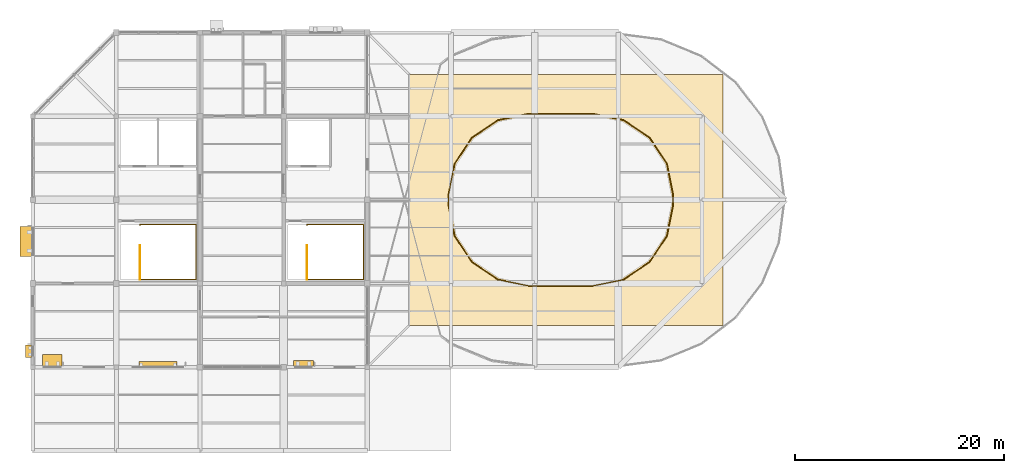
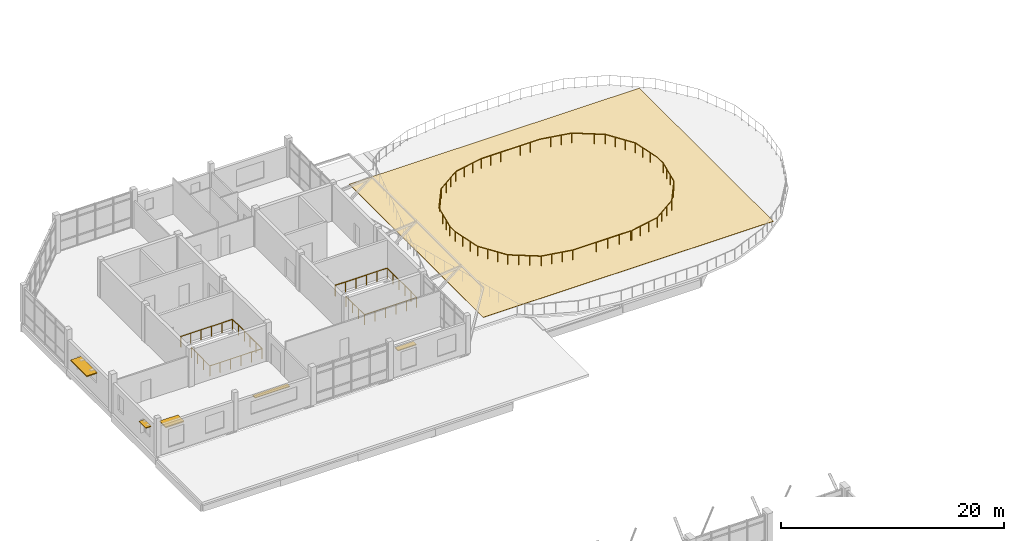
# One storey, part 43 of 44: 5 railings, 5 shading devices, 1 covering.
"""IFC4 building model written with IfcOpenShell, lengths in metres."""

from ifc_helpers import new_model, si_unit, direction, frame, origin, origin_2d, place, context, subcontext, project, spatial, polyline, rectangle, circle, outline, extrude, material, layer, layer_set, type_object, element, save


model = new_model("IFC4")

# Units and contexts
model_context = context("Model", 3, precision=1e-05, world=origin(), true_north=direction((0.0, 1.0)))
body_context = subcontext(model_context, "Body", "Model", "MODEL_VIEW")
ifc_project = project(units=[si_unit("LENGTHUNIT", "METRE"), si_unit("AREAUNIT", "SQUARE_METRE"), si_unit("VOLUMEUNIT", "CUBIC_METRE"), si_unit("PLANEANGLEUNIT", "RADIAN"), si_unit("MASSUNIT", "GRAM", prefix="KILO")], contexts=[model_context])

# Site, building, storey
site_placement = place(None, origin())
site = spatial("IfcSite", under=ifc_project, at=site_placement, CompositionType="ELEMENT")
building_placement = place(site_placement, origin())
building = spatial("IfcBuilding", under=site, at=building_placement, Name="Tenunan Teduh Sports Hall", CompositionType="ELEMENT")
storey_placement = place(building_placement, frame((0.0, 0.0, 19.199951171875)))
storey = spatial("IfcBuildingStorey", under=building, at=storey_placement, Name="L04", CompositionType="ELEMENT", Elevation=19.199951171875)

# Covering
ifc_material_1 = material(Name="World Athletics vulcanised EPDM track surface")
ifc_layer_1 = layer(ifc_material_1, 0.034912109375)
ifc_layer_set_1 = layer_set([ifc_layer_1], Name="World Athletics vulcanised EPDM track surface")
covering_type = type_object("IfcCoveringType", Name="COV-FLR-EPDM", PredefinedType="FLOORING", material=ifc_layer_set_1)
covering_placement = place(storey_placement, origin())
element("IfcCovering", 1, at=covering_placement, inside=storey, type_object=covering_type, Name="COV-FLR-TRK", PredefinedType="FLOORING", context=body_context, shape_type="SweptSolid", body=[
    extrude(outline(polyline([(42.0, 90.0), (72.0, 90.0), (72.0, 114.0), (42.0, 114.0), (42.0, 90.0)])), origin(), (0.0, 0.0, 1.0), 0.03515625),
])

# Railings
ifc_material_2 = material(Name="Laminated safety glass and stainless steel", Category="steel")
ifc_layer_2 = layer(ifc_material_2, 0.080078125)
ifc_layer_set_2 = layer_set([ifc_layer_2], Name="Laminated safety glass and stainless steel")
railing_type_1 = type_object("IfcRailingType", Name="RLG-BAL-GLZ", PredefinedType="BALUSTRADE", material=ifc_layer_set_2)
railing_1_placement = place(storey_placement, frame((59.549072265625, 93.76904296875, 0.0)))
element("IfcRailing", 2, at=railing_1_placement, inside=storey, type_object=railing_type_1, Name="Stadium Oval Running Track Inner Courtyard Guardrail", PredefinedType="BALUSTRADE", context=body_context, shape_type="SweptSolid", body=[
    extrude(circle(Radius=0.02392578125, at=origin_2d()), frame((0.0, 0.0, 1.09619140625), z_axis=(0.979877725648, 0.199598704354, 0.0), x_axis=(-0.199598704354, 0.979877725648, 0.0)), (0.0, 0.0, 1.0), 3.00537109375),
    extrude(circle(Radius=0.02392578125, at=origin_2d()), frame((2.94482421875, 0.599853515625, 1.09619140625), z_axis=(0.829957956742, 0.557825949595, 0.0), x_axis=(-0.557825949595, 0.829957956742, 0.0)), (0.0, 0.0, 1.0), 3.00634765625),
    extrude(circle(Radius=0.02392578125, at=origin_2d()), frame((5.43994140625, 2.27685546875, 1.09619140625), z_axis=(0.554137556715, 0.83242511269, 0.0), x_axis=(-0.83242511269, 0.554137556715, 0.0)), (0.0, 0.0, 1.0), 3.004638671875),
    extrude(circle(Radius=0.02392578125, at=origin_2d()), frame((7.10498046875, 4.778076171875, 1.09619140625), z_axis=(0.195084330611, 0.980786472149, 0.0), x_axis=(-0.980786472149, 0.195084330611, 0.0)), (0.0, 0.0, 1.0), 3.00341796875),
    extrude(circle(Radius=0.02392578125, at=origin_2d()), frame((7.69091796875, 7.723876953125, 1.09619140625), z_axis=(0.0, 1.0, 0.0), x_axis=(-1.0, 0.0, 0.0)), (0.0, 0.0, 1.0), 1.01416015625),
    extrude(circle(Radius=0.02392578125, at=origin_2d()), frame((7.69091796875, 8.738037109375, 1.09619140625), z_axis=(-0.195084330611, 0.980786472149, 0.0), x_axis=(-0.980786472149, -0.195084330611, 0.0)), (0.0, 0.0, 1.0), 3.00341796875),
    extrude(circle(Radius=0.02392578125, at=origin_2d()), frame((7.10498046875, 11.683837890625, 1.09619140625), z_axis=(-0.554137556715, 0.83242511269, 0.0), x_axis=(-0.83242511269, -0.554137556715, 0.0)), (0.0, 0.0, 1.0), 3.004638671875),
    extrude(circle(Radius=0.02392578125, at=origin_2d()), frame((5.43994140625, 14.18505859375, 1.09619140625), z_axis=(-0.829957956742, 0.557825949595, 0.0), x_axis=(-0.557825949595, -0.829957956742, 0.0)), (0.0, 0.0, 1.0), 3.00634765625),
    extrude(circle(Radius=0.02392578125, at=origin_2d()), frame((2.94482421875, 15.862060546875, 1.09619140625), z_axis=(-0.979877725648, 0.199598704354, 0.0), x_axis=(-0.199598704354, -0.979877725648, 0.0)), (0.0, 0.0, 1.0), 3.00537109375),
    extrude(circle(Radius=0.02392578125, at=origin_2d()), frame((0.0, 16.4619140625, 1.09619140625), z_axis=(-1.0, 0.0, 0.0), x_axis=(0.0, -1.0, 0.0)), (0.0, 0.0, 1.0), 6.09814453125),
    extrude(circle(Radius=0.02392578125, at=origin_2d()), frame((-6.09814453125, 16.4619140625, 1.09619140625), z_axis=(-0.979877725648, -0.199598704354, 0.0), x_axis=(0.199598704354, -0.979877725648, 0.0)), (0.0, 0.0, 1.0), 3.00537109375),
    extrude(circle(Radius=0.02392578125, at=origin_2d()), frame((-9.04296875, 15.862060546875, 1.09619140625), z_axis=(-0.829957956742, -0.557825949595, 0.0), x_axis=(0.557825949595, -0.829957956742, 0.0)), (0.0, 0.0, 1.0), 3.00634765625),
    extrude(circle(Radius=0.02392578125, at=origin_2d()), frame((-11.5380859375, 14.18505859375, 1.09619140625), z_axis=(-0.554137556715, -0.83242511269, 0.0), x_axis=(0.83242511269, -0.554137556715, 0.0)), (0.0, 0.0, 1.0), 3.004638671875),
    extrude(circle(Radius=0.02392578125, at=origin_2d()), frame((-13.203125, 11.683837890625, 1.09619140625), z_axis=(-0.195084330611, -0.980786472149, 0.0), x_axis=(0.980786472149, -0.195084330611, 0.0)), (0.0, 0.0, 1.0), 3.00341796875),
    extrude(circle(Radius=0.02392578125, at=origin_2d()), frame((-13.7890625, 8.738037109375, 1.09619140625), z_axis=(0.0, -1.0, 0.0), x_axis=(1.0, 0.0, 0.0)), (0.0, 0.0, 1.0), 1.01416015625),
    extrude(circle(Radius=0.02392578125, at=origin_2d()), frame((-13.7890625, 7.723876953125, 1.09619140625), z_axis=(0.195084330611, -0.980786472149, 0.0), x_axis=(0.980786472149, 0.195084330611, 0.0)), (0.0, 0.0, 1.0), 3.00341796875),
    extrude(circle(Radius=0.02392578125, at=origin_2d()), frame((-13.203125, 4.778076171875, 1.09619140625), z_axis=(0.554137556715, -0.83242511269, 0.0), x_axis=(0.83242511269, 0.554137556715, 0.0)), (0.0, 0.0, 1.0), 3.004638671875),
    extrude(circle(Radius=0.02392578125, at=origin_2d()), frame((-11.5380859375, 2.27685546875, 1.09619140625), z_axis=(0.829957956742, -0.557825949595, 0.0), x_axis=(0.557825949595, 0.829957956742, 0.0)), (0.0, 0.0, 1.0), 3.00634765625),
    extrude(circle(Radius=0.02392578125, at=origin_2d()), frame((-9.04296875, 0.599853515625, 1.09619140625), z_axis=(0.979877725648, -0.199598704354, 0.0), x_axis=(0.199598704354, 0.979877725648, 0.0)), (0.0, 0.0, 1.0), 3.00537109375),
    extrude(circle(Radius=0.02392578125, at=origin_2d()), frame((-6.09814453125, 0.0, 1.09619140625), z_axis=(1.0, 0.0, 0.0), x_axis=(0.0, 1.0, 0.0)), (0.0, 0.0, 1.0), 5.97607421875),
    extrude(circle(Radius=0.02099609375, at=origin_2d()), origin(), (0.0, 0.0, 1.0), 1.072021484375),
    extrude(circle(Radius=0.02099609375, at=origin_2d()), frame((0.981689453125, 0.199951171875, 0.0)), (0.0, 0.0, 1.0), 1.072021484375),
    extrude(circle(Radius=0.02099609375, at=origin_2d()), frame((1.963134765625, 0.39990234375, 0.0)), (0.0, 0.0, 1.0), 1.072021484375),
    extrude(circle(Radius=0.02099609375, at=origin_2d()), frame((2.94482421875, 0.599853515625, 0.0)), (0.0, 0.0, 1.0), 1.072021484375),
    extrude(circle(Radius=0.02099609375, at=origin_2d()), frame((3.776611328125, 1.158935546875, 0.0)), (0.0, 0.0, 1.0), 1.072021484375),
    extrude(circle(Radius=0.02099609375, at=origin_2d()), frame((4.608154296875, 1.7177734375, 0.0)), (0.0, 0.0, 1.0), 1.072021484375),
    extrude(circle(Radius=0.02099609375, at=origin_2d()), frame((5.43994140625, 2.27685546875, 0.0)), (0.0, 0.0, 1.0), 1.072021484375),
    extrude(circle(Radius=0.02099609375, at=origin_2d()), frame((5.994873046875, 3.110595703125, 0.0)), (0.0, 0.0, 1.0), 1.072021484375),
    extrude(circle(Radius=0.02099609375, at=origin_2d()), frame((6.550048828125, 3.9443359375, 0.0)), (0.0, 0.0, 1.0), 1.072021484375),
    extrude(circle(Radius=0.02099609375, at=origin_2d()), frame((7.10498046875, 4.778076171875, 0.0)), (0.0, 0.0, 1.0), 1.072021484375),
    extrude(circle(Radius=0.02099609375, at=origin_2d()), frame((7.30029296875, 5.760009765625, 0.0)), (0.0, 0.0, 1.0), 1.072021484375),
    extrude(circle(Radius=0.02099609375, at=origin_2d()), frame((7.49560546875, 6.741943359375, 0.0)), (0.0, 0.0, 1.0), 1.072021484375),
    extrude(circle(Radius=0.02099609375, at=origin_2d()), frame((7.69091796875, 7.723876953125, 0.0)), (0.0, 0.0, 1.0), 1.072021484375),
    extrude(circle(Radius=0.02099609375, at=origin_2d()), frame((7.69091796875, 8.738037109375, 0.0)), (0.0, 0.0, 1.0), 1.072021484375),
    extrude(circle(Radius=0.02099609375, at=origin_2d()), frame((7.49560546875, 9.719970703125, 0.0)), (0.0, 0.0, 1.0), 1.072021484375),
    extrude(circle(Radius=0.02099609375, at=origin_2d()), frame((7.30029296875, 10.701904296875, 0.0)), (0.0, 0.0, 1.0), 1.072021484375),
    extrude(circle(Radius=0.02099609375, at=origin_2d()), frame((7.10498046875, 11.683837890625, 0.0)), (0.0, 0.0, 1.0), 1.072021484375),
    extrude(circle(Radius=0.02099609375, at=origin_2d()), frame((6.550048828125, 12.517578125, 0.0)), (0.0, 0.0, 1.0), 1.072021484375),
    extrude(circle(Radius=0.02099609375, at=origin_2d()), frame((5.994873046875, 13.351318359375, 0.0)), (0.0, 0.0, 1.0), 1.072021484375),
    extrude(circle(Radius=0.02099609375, at=origin_2d()), frame((5.43994140625, 14.18505859375, 0.0)), (0.0, 0.0, 1.0), 1.072021484375),
    extrude(circle(Radius=0.02099609375, at=origin_2d()), frame((4.608154296875, 14.744140625, 0.0)), (0.0, 0.0, 1.0), 1.072021484375),
    extrude(circle(Radius=0.02099609375, at=origin_2d()), frame((3.776611328125, 15.302978515625, 0.0)), (0.0, 0.0, 1.0), 1.072021484375),
    extrude(circle(Radius=0.02099609375, at=origin_2d()), frame((2.94482421875, 15.862060546875, 0.0)), (0.0, 0.0, 1.0), 1.072021484375),
    extrude(circle(Radius=0.02099609375, at=origin_2d()), frame((1.963134765625, 16.06201171875, 0.0)), (0.0, 0.0, 1.0), 1.072021484375),
    extrude(circle(Radius=0.02099609375, at=origin_2d()), frame((0.981689453125, 16.261962890625, 0.0)), (0.0, 0.0, 1.0), 1.072021484375),
    extrude(circle(Radius=0.02099609375, at=origin_2d()), frame((0.0, 16.4619140625, 0.0)), (0.0, 0.0, 1.0), 1.072021484375),
    extrude(circle(Radius=0.02099609375, at=origin_2d()), frame((-1.016357421875, 16.4619140625, 0.0)), (0.0, 0.0, 1.0), 1.072021484375),
    extrude(circle(Radius=0.02099609375, at=origin_2d()), frame((-2.03271484375, 16.4619140625, 0.0)), (0.0, 0.0, 1.0), 1.072021484375),
    extrude(circle(Radius=0.02099609375, at=origin_2d()), frame((-3.049072265625, 16.4619140625, 0.0)), (0.0, 0.0, 1.0), 1.072021484375),
    extrude(circle(Radius=0.02099609375, at=origin_2d()), frame((-4.0654296875, 16.4619140625, 0.0)), (0.0, 0.0, 1.0), 1.072021484375),
    extrude(circle(Radius=0.02099609375, at=origin_2d()), frame((-5.081787109375, 16.4619140625, 0.0)), (0.0, 0.0, 1.0), 1.072021484375),
    extrude(circle(Radius=0.02099609375, at=origin_2d()), frame((-6.09814453125, 16.4619140625, 0.0)), (0.0, 0.0, 1.0), 1.072021484375),
    extrude(circle(Radius=0.02099609375, at=origin_2d()), frame((-7.079833984375, 16.261962890625, 0.0)), (0.0, 0.0, 1.0), 1.072021484375),
    extrude(circle(Radius=0.02099609375, at=origin_2d()), frame((-8.061279296875, 16.06201171875, 0.0)), (0.0, 0.0, 1.0), 1.072021484375),
    extrude(circle(Radius=0.02099609375, at=origin_2d()), frame((-9.04296875, 15.862060546875, 0.0)), (0.0, 0.0, 1.0), 1.072021484375),
    extrude(circle(Radius=0.02099609375, at=origin_2d()), frame((-9.874755859375, 15.302978515625, 0.0)), (0.0, 0.0, 1.0), 1.072021484375),
    extrude(circle(Radius=0.02099609375, at=origin_2d()), frame((-10.706298828125, 14.744140625, 0.0)), (0.0, 0.0, 1.0), 1.072021484375),
    extrude(circle(Radius=0.02099609375, at=origin_2d()), frame((-11.5380859375, 14.18505859375, 0.0)), (0.0, 0.0, 1.0), 1.072021484375),
    extrude(circle(Radius=0.02099609375, at=origin_2d()), frame((-12.093017578125, 13.351318359375, 0.0)), (0.0, 0.0, 1.0), 1.072021484375),
    extrude(circle(Radius=0.02099609375, at=origin_2d()), frame((-12.648193359375, 12.517578125, 0.0)), (0.0, 0.0, 1.0), 1.072021484375),
    extrude(circle(Radius=0.02099609375, at=origin_2d()), frame((-13.203125, 11.683837890625, 0.0)), (0.0, 0.0, 1.0), 1.072021484375),
    extrude(circle(Radius=0.02099609375, at=origin_2d()), frame((-13.3984375, 10.701904296875, 0.0)), (0.0, 0.0, 1.0), 1.072021484375),
    extrude(circle(Radius=0.02099609375, at=origin_2d()), frame((-13.59375, 9.719970703125, 0.0)), (0.0, 0.0, 1.0), 1.072021484375),
    extrude(circle(Radius=0.02099609375, at=origin_2d()), frame((-13.7890625, 8.738037109375, 0.0)), (0.0, 0.0, 1.0), 1.072021484375),
    extrude(circle(Radius=0.02099609375, at=origin_2d()), frame((-13.7890625, 7.723876953125, 0.0)), (0.0, 0.0, 1.0), 1.072021484375),
    extrude(circle(Radius=0.02099609375, at=origin_2d()), frame((-13.59375, 6.741943359375, 0.0)), (0.0, 0.0, 1.0), 1.072021484375),
    extrude(circle(Radius=0.02099609375, at=origin_2d()), frame((-13.3984375, 5.760009765625, 0.0)), (0.0, 0.0, 1.0), 1.072021484375),
    extrude(circle(Radius=0.02099609375, at=origin_2d()), frame((-13.203125, 4.778076171875, 0.0)), (0.0, 0.0, 1.0), 1.072021484375),
    extrude(circle(Radius=0.02099609375, at=origin_2d()), frame((-12.648193359375, 3.9443359375, 0.0)), (0.0, 0.0, 1.0), 1.072021484375),
    extrude(circle(Radius=0.02099609375, at=origin_2d()), frame((-12.093017578125, 3.110595703125, 0.0)), (0.0, 0.0, 1.0), 1.072021484375),
    extrude(circle(Radius=0.02099609375, at=origin_2d()), frame((-11.5380859375, 2.27685546875, 0.0)), (0.0, 0.0, 1.0), 1.072021484375),
    extrude(circle(Radius=0.02099609375, at=origin_2d()), frame((-10.706298828125, 1.7177734375, 0.0)), (0.0, 0.0, 1.0), 1.072021484375),
    extrude(circle(Radius=0.02099609375, at=origin_2d()), frame((-9.874755859375, 1.158935546875, 0.0)), (0.0, 0.0, 1.0), 1.072021484375),
    extrude(circle(Radius=0.02099609375, at=origin_2d()), frame((-9.04296875, 0.599853515625, 0.0)), (0.0, 0.0, 1.0), 1.072021484375),
    extrude(circle(Radius=0.02099609375, at=origin_2d()), frame((-8.061279296875, 0.39990234375, 0.0)), (0.0, 0.0, 1.0), 1.072021484375),
    extrude(circle(Radius=0.02099609375, at=origin_2d()), frame((-7.079833984375, 0.199951171875, 0.0)), (0.0, 0.0, 1.0), 1.072021484375),
    extrude(circle(Radius=0.02099609375, at=origin_2d()), frame((-6.09814453125, 0.0, 0.0)), (0.0, 0.0, 1.0), 1.072021484375),
    extrude(circle(Radius=0.02099609375, at=origin_2d()), frame((-4.90283203125, 0.0, 0.0)), (0.0, 0.0, 1.0), 1.072021484375),
    extrude(circle(Radius=0.02099609375, at=origin_2d()), frame((-3.707763671875, 0.0, 0.0)), (0.0, 0.0, 1.0), 1.072021484375),
    extrude(circle(Radius=0.02099609375, at=origin_2d()), frame((-2.512451171875, 0.0, 0.0)), (0.0, 0.0, 1.0), 1.072021484375),
    extrude(circle(Radius=0.02099609375, at=origin_2d()), frame((-1.3173828125, 0.0, 0.0)), (0.0, 0.0, 1.0), 1.072021484375),
    extrude(circle(Radius=0.02099609375, at=origin_2d()), frame((-0.1220703125, 0.0, 0.0)), (0.0, 0.0, 1.0), 1.072021484375),
])
ifc_material_3 = material(Name="Galvanised and powder-coated steel", Category="steel")
ifc_layer_3 = layer(ifc_material_3, 0.070068359375)
ifc_layer_set_3 = layer_set([ifc_layer_3], Name="Galvanised and powder-coated steel")
railing_type_2 = type_object("IfcRailingType", Name="RLG-EXT-GRD", PredefinedType="GUARDRAIL", material=ifc_layer_set_3)
railing_2_placement = place(storey_placement, frame((16.239990234375, 94.360107421875, 0.0)))
element("IfcRailing", 3, at=railing_2_placement, inside=storey, type_object=railing_type_2, Name="RLG-STW-WLND-W1-L03", PredefinedType="GUARDRAIL", context=body_context, shape_type="SweptSolid", body=[
    extrude(circle(Radius=0.02392578125, at=origin_2d()), frame((0.0, 0.0, 1.09619140625), z_axis=(0.0, 1.0, 0.0), x_axis=(-1.0, 0.0, 0.0)), (0.0, 0.0, 1.0), 3.289794921875),
    extrude(circle(Radius=0.02099609375, at=origin_2d()), origin(), (0.0, 0.0, 1.0), 1.072021484375),
    extrude(circle(Radius=0.02099609375, at=origin_2d()), frame((0.0, 1.0966796875, 0.0)), (0.0, 0.0, 1.0), 1.072021484375),
    extrude(circle(Radius=0.02099609375, at=origin_2d()), frame((0.0, 2.193115234375, 0.0)), (0.0, 0.0, 1.0), 1.072021484375),
    extrude(circle(Radius=0.02099609375, at=origin_2d()), frame((0.0, 3.289794921875, 0.0)), (0.0, 0.0, 1.0), 1.072021484375),
])
railing_3_placement = place(storey_placement, frame((16.239990234375, 94.360107421875, 0.0)))
element("IfcRailing", 4, at=railing_3_placement, inside=storey, type_object=railing_type_2, Name="RLG-STW-TOP-W1-L04", PredefinedType="GUARDRAIL", context=body_context, shape_type="SweptSolid", body=[
    extrude(circle(Radius=0.02392578125, at=origin_2d()), frame((0.0, 0.0, 1.09619140625), z_axis=(1.0, 0.0, 0.0), x_axis=(0.0, 1.0, 0.0)), (0.0, 0.0, 1.0), 5.39990234375),
    extrude(circle(Radius=0.02392578125, at=origin_2d()), frame((5.39990234375, 0.0, 1.09619140625), z_axis=(0.0, 1.0, 0.0), x_axis=(-1.0, 0.0, 0.0)), (0.0, 0.0, 1.0), 5.27978515625),
    extrude(circle(Radius=0.02392578125, at=origin_2d()), frame((5.39990234375, 5.27978515625, 1.09619140625), z_axis=(-1.0, 0.0, 0.0), x_axis=(0.0, -1.0, 0.0)), (0.0, 0.0, 1.0), 5.39990234375),
    extrude(circle(Radius=0.02392578125, at=origin_2d()), frame((0.0, 5.27978515625, 1.09619140625), z_axis=(0.0, -1.0, 0.0), x_axis=(1.0, 0.0, 0.0)), (0.0, 0.0, 1.0), 0.10986328125),
    extrude(circle(Radius=0.02099609375, at=origin_2d()), origin(), (0.0, 0.0, 1.0), 1.072021484375),
    extrude(circle(Radius=0.02099609375, at=origin_2d()), frame((1.080078125, 0.0, 0.0)), (0.0, 0.0, 1.0), 1.072021484375),
    extrude(circle(Radius=0.02099609375, at=origin_2d()), frame((2.159912109375, 0.0, 0.0)), (0.0, 0.0, 1.0), 1.072021484375),
    extrude(circle(Radius=0.02099609375, at=origin_2d()), frame((3.239990234375, 0.0, 0.0)), (0.0, 0.0, 1.0), 1.072021484375),
    extrude(circle(Radius=0.02099609375, at=origin_2d()), frame((4.31982421875, 0.0, 0.0)), (0.0, 0.0, 1.0), 1.072021484375),
    extrude(circle(Radius=0.02099609375, at=origin_2d()), frame((5.39990234375, 0.0, 0.0)), (0.0, 0.0, 1.0), 1.072021484375),
    extrude(circle(Radius=0.02099609375, at=origin_2d()), frame((5.39990234375, 1.055908203125, 0.0)), (0.0, 0.0, 1.0), 1.072021484375),
    extrude(circle(Radius=0.02099609375, at=origin_2d()), frame((5.39990234375, 2.11181640625, 0.0)), (0.0, 0.0, 1.0), 1.072021484375),
    extrude(circle(Radius=0.02099609375, at=origin_2d()), frame((5.39990234375, 3.16796875, 0.0)), (0.0, 0.0, 1.0), 1.072021484375),
    extrude(circle(Radius=0.02099609375, at=origin_2d()), frame((5.39990234375, 4.223876953125, 0.0)), (0.0, 0.0, 1.0), 1.072021484375),
    extrude(circle(Radius=0.02099609375, at=origin_2d()), frame((5.39990234375, 5.27978515625, 0.0)), (0.0, 0.0, 1.0), 1.072021484375),
    extrude(circle(Radius=0.02099609375, at=origin_2d()), frame((4.31982421875, 5.27978515625, 0.0)), (0.0, 0.0, 1.0), 1.072021484375),
    extrude(circle(Radius=0.02099609375, at=origin_2d()), frame((3.239990234375, 5.27978515625, 0.0)), (0.0, 0.0, 1.0), 1.072021484375),
    extrude(circle(Radius=0.02099609375, at=origin_2d()), frame((2.159912109375, 5.27978515625, 0.0)), (0.0, 0.0, 1.0), 1.072021484375),
    extrude(circle(Radius=0.02099609375, at=origin_2d()), frame((1.080078125, 5.27978515625, 0.0)), (0.0, 0.0, 1.0), 1.072021484375),
    extrude(circle(Radius=0.02099609375, at=origin_2d()), frame((0.0, 5.27978515625, 0.0)), (0.0, 0.0, 1.0), 1.072021484375),
    extrude(circle(Radius=0.02099609375, at=origin_2d()), frame((0.0, 5.169921875, 0.0)), (0.0, 0.0, 1.0), 1.072021484375),
])
railing_4_placement = place(storey_placement, frame((32.239990234375, 94.360107421875, 0.0)))
element("IfcRailing", 5, at=railing_4_placement, inside=storey, type_object=railing_type_2, Name="RLG-STW-WLND-W2-L03", PredefinedType="GUARDRAIL", context=body_context, shape_type="SweptSolid", body=[
    extrude(circle(Radius=0.02392578125, at=origin_2d()), frame((0.0, 0.0, 1.09619140625), z_axis=(0.0, 1.0, 0.0), x_axis=(-1.0, 0.0, 0.0)), (0.0, 0.0, 1.0), 3.289794921875),
    extrude(circle(Radius=0.02099609375, at=origin_2d()), origin(), (0.0, 0.0, 1.0), 1.072021484375),
    extrude(circle(Radius=0.02099609375, at=origin_2d()), frame((0.0, 1.0966796875, 0.0)), (0.0, 0.0, 1.0), 1.072021484375),
    extrude(circle(Radius=0.02099609375, at=origin_2d()), frame((0.0, 2.193115234375, 0.0)), (0.0, 0.0, 1.0), 1.072021484375),
    extrude(circle(Radius=0.02099609375, at=origin_2d()), frame((0.0, 3.289794921875, 0.0)), (0.0, 0.0, 1.0), 1.072021484375),
])
railing_5_placement = place(storey_placement, frame((32.239990234375, 94.360107421875, 0.0)))
element("IfcRailing", 6, at=railing_5_placement, inside=storey, type_object=railing_type_2, Name="RLG-STW-TOP-W2-L04", PredefinedType="GUARDRAIL", context=body_context, shape_type="SweptSolid", body=[
    extrude(circle(Radius=0.02392578125, at=origin_2d()), frame((0.0, 0.0, 1.09619140625), z_axis=(1.0, 0.0, 0.0), x_axis=(0.0, 1.0, 0.0)), (0.0, 0.0, 1.0), 5.39990234375),
    extrude(circle(Radius=0.02392578125, at=origin_2d()), frame((5.39990234375, 0.0, 1.09619140625), z_axis=(0.0, 1.0, 0.0), x_axis=(-1.0, 0.0, 0.0)), (0.0, 0.0, 1.0), 5.27978515625),
    extrude(circle(Radius=0.02392578125, at=origin_2d()), frame((5.39990234375, 5.27978515625, 1.09619140625), z_axis=(-1.0, 0.0, 0.0), x_axis=(0.0, -1.0, 0.0)), (0.0, 0.0, 1.0), 5.39990234375),
    extrude(circle(Radius=0.02392578125, at=origin_2d()), frame((0.0, 5.27978515625, 1.09619140625), z_axis=(0.0, -1.0, 0.0), x_axis=(1.0, 0.0, 0.0)), (0.0, 0.0, 1.0), 0.10986328125),
    extrude(circle(Radius=0.02099609375, at=origin_2d()), origin(), (0.0, 0.0, 1.0), 1.072021484375),
    extrude(circle(Radius=0.02099609375, at=origin_2d()), frame((1.080078125, 0.0, 0.0)), (0.0, 0.0, 1.0), 1.072021484375),
    extrude(circle(Radius=0.02099609375, at=origin_2d()), frame((2.159912109375, 0.0, 0.0)), (0.0, 0.0, 1.0), 1.072021484375),
    extrude(circle(Radius=0.02099609375, at=origin_2d()), frame((3.239990234375, 0.0, 0.0)), (0.0, 0.0, 1.0), 1.072021484375),
    extrude(circle(Radius=0.02099609375, at=origin_2d()), frame((4.31982421875, 0.0, 0.0)), (0.0, 0.0, 1.0), 1.072021484375),
    extrude(circle(Radius=0.02099609375, at=origin_2d()), frame((5.39990234375, 0.0, 0.0)), (0.0, 0.0, 1.0), 1.072021484375),
    extrude(circle(Radius=0.02099609375, at=origin_2d()), frame((5.39990234375, 1.055908203125, 0.0)), (0.0, 0.0, 1.0), 1.072021484375),
    extrude(circle(Radius=0.02099609375, at=origin_2d()), frame((5.39990234375, 2.11181640625, 0.0)), (0.0, 0.0, 1.0), 1.072021484375),
    extrude(circle(Radius=0.02099609375, at=origin_2d()), frame((5.39990234375, 3.16796875, 0.0)), (0.0, 0.0, 1.0), 1.072021484375),
    extrude(circle(Radius=0.02099609375, at=origin_2d()), frame((5.39990234375, 4.223876953125, 0.0)), (0.0, 0.0, 1.0), 1.072021484375),
    extrude(circle(Radius=0.02099609375, at=origin_2d()), frame((5.39990234375, 5.27978515625, 0.0)), (0.0, 0.0, 1.0), 1.072021484375),
    extrude(circle(Radius=0.02099609375, at=origin_2d()), frame((4.31982421875, 5.27978515625, 0.0)), (0.0, 0.0, 1.0), 1.072021484375),
    extrude(circle(Radius=0.02099609375, at=origin_2d()), frame((3.239990234375, 5.27978515625, 0.0)), (0.0, 0.0, 1.0), 1.072021484375),
    extrude(circle(Radius=0.02099609375, at=origin_2d()), frame((2.159912109375, 5.27978515625, 0.0)), (0.0, 0.0, 1.0), 1.072021484375),
    extrude(circle(Radius=0.02099609375, at=origin_2d()), frame((1.080078125, 5.27978515625, 0.0)), (0.0, 0.0, 1.0), 1.072021484375),
    extrude(circle(Radius=0.02099609375, at=origin_2d()), frame((0.0, 5.27978515625, 0.0)), (0.0, 0.0, 1.0), 1.072021484375),
    extrude(circle(Radius=0.02099609375, at=origin_2d()), frame((0.0, 5.169921875, 0.0)), (0.0, 0.0, 1.0), 1.072021484375),
])

# Shading devices
ifc_material_4 = material(Name="Perforated anodised aluminium", Category="aluminium")
shading_device_type_1 = type_object("IfcShadingDeviceType", Name="SHD-LOUVRE-1", PredefinedType="AWNING", material=ifc_material_4)
shading_device_1_placement = place(storey_placement, frame((17.97509765625, 86.340087890625, 2.570068359375), z_axis=(0.0, 0.0, 1.0), x_axis=(1.0, 0.0, 0.0)))
element("IfcShadingDevice", 7, at=shading_device_1_placement, inside=storey, type_object=shading_device_type_1, Name="SHD-L04-066", PredefinedType="AWNING", context=body_context, shape_type="SweptSolid", body=[
    extrude(rectangle(XDim=3.60009765625, YDim=0.449951171875, at=origin_2d()), origin(), (0.0, 0.0, 1.0), 0.080078125),
])
ifc_material_5 = material(Name="Perforated anodised aluminium", Category="aluminium")
shading_device_type_2 = type_object("IfcShadingDeviceType", Name="SHD-LOUVRE-2", PredefinedType="SHUTTER", material=ifc_material_5)
shading_device_2_placement = place(storey_placement, frame((31.89990234375, 86.375, 2.56494140625), z_axis=(0.0, 0.0, 1.0), x_axis=(1.0, 0.0, 0.0)))
element("IfcShadingDevice", 8, at=shading_device_2_placement, inside=storey, type_object=shading_device_type_2, Name="SHD-L04-067", PredefinedType="SHUTTER", context=body_context, shape_type="SweptSolid", body=[
    extrude(rectangle(XDim=1.89990234375, YDim=0.550048828125, at=origin_2d()), origin(), (0.0, 0.0, 1.0), 0.090087890625),
])
shading_device_3_placement = place(storey_placement, frame((5.60498046875, 87.52490234375, 2.56494140625), z_axis=(0.0, 0.0, 1.0), x_axis=(0.0, 1.0, 0.0)))
element("IfcShadingDevice", 9, at=shading_device_3_placement, inside=storey, type_object=shading_device_type_2, Name="SHD-L04-070", PredefinedType="SHUTTER", context=body_context, shape_type="SweptSolid", body=[
    extrude(rectangle(XDim=1.199951171875, YDim=0.550048828125, at=origin_2d()), origin(), (0.0, 0.0, 1.0), 0.090087890625),
])
ifc_material_6 = material(Name="Perforated anodised aluminium", Category="aluminium")
shading_device_type_3 = type_object("IfcShadingDeviceType", Name="SHD-SUNSHADE-1", PredefinedType="JALOUSIE", material=ifc_material_6)
shading_device_4_placement = place(storey_placement, frame((7.875, 86.669921875, 2.550048828125), z_axis=(0.0, 0.0, 1.0), x_axis=(1.0, 0.0, 0.0)))
element("IfcShadingDevice", 10, at=shading_device_4_placement, inside=storey, type_object=shading_device_type_3, Name="SHD-L04-065", PredefinedType="JALOUSIE", context=body_context, shape_type="SweptSolid", body=[
    extrude(rectangle(XDim=1.89990234375, YDim=1.10009765625, at=origin_2d()), origin(), (0.0, 0.0, 1.0), 0.1201171875),
])
shading_device_5_placement = place(storey_placement, frame((5.3349609375, 98.014892578125, 2.550048828125), z_axis=(0.0, 0.0, 1.0), x_axis=(0.0, 1.0, 0.0)))
element("IfcShadingDevice", 11, at=shading_device_5_placement, inside=storey, type_object=shading_device_type_3, Name="SHD-L04-071", PredefinedType="JALOUSIE", context=body_context, shape_type="SweptSolid", body=[
    extrude(rectangle(XDim=2.89990234375, YDim=1.10009765625, at=origin_2d()), origin(), (0.0, 0.0, 1.0), 0.1201171875),
])

save(model, "model.ifc")
